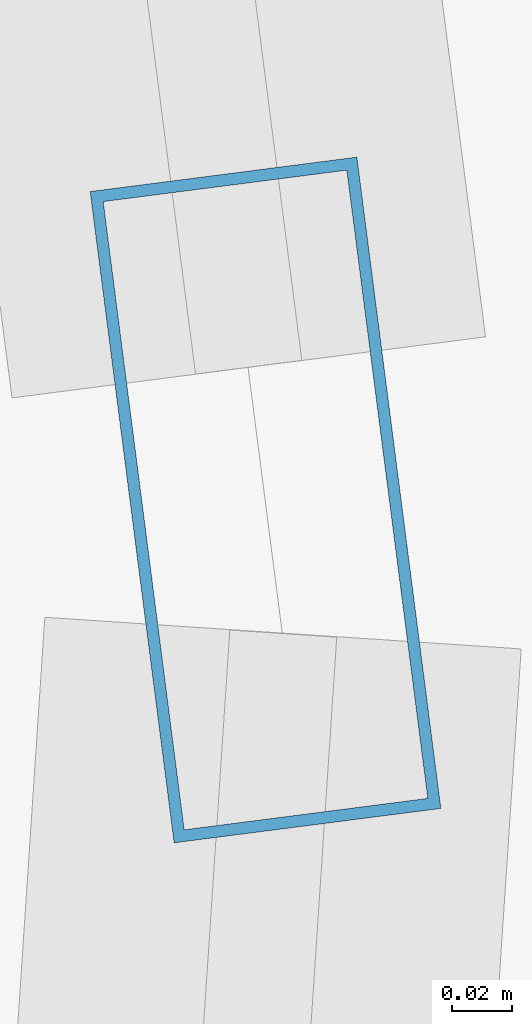
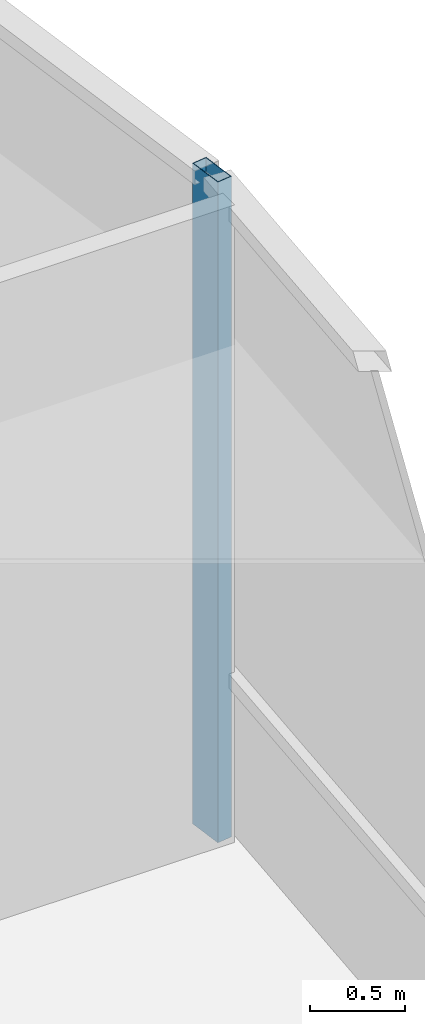
# One storey, part 8 of 39: 1 member, 1 element without a shape of its own.
"""IFC4 building model written with IfcOpenShell, lengths in metres."""

from ifc_helpers import new_model, si_unit, direction, frame, origin, origin_2d, place, context, subcontext, project, spatial, hollow_rectangle, extrude, material, material_profile, profile_set, type_object, element, aggregate, save


model = new_model("IFC4")

# Units and contexts
model_context = context("Model", 3, precision=1e-05, world=origin(), true_north=direction((0.0, 1.0)))
body_context = subcontext(model_context, "Body", "Model", "MODEL_VIEW")
ifc_project = project(units=[si_unit("LENGTHUNIT", "METRE"), si_unit("AREAUNIT", "SQUARE_METRE"), si_unit("VOLUMEUNIT", "CUBIC_METRE"), si_unit("PLANEANGLEUNIT", "RADIAN"), si_unit("MASSUNIT", "GRAM", prefix="KILO")], contexts=[model_context])

# Site, building, storey
site_placement = place(None, origin())
site = spatial("IfcSite", under=ifc_project, at=site_placement, CompositionType="ELEMENT")
building_placement = place(site_placement, origin())
building = spatial("IfcBuilding", under=site, at=building_placement, Name="Rekha Terrace Tower", CompositionType="ELEMENT")
storey_placement = place(building_placement, frame((0.0, 0.0, 245.60009765625)))
storey = spatial("IfcBuildingStorey", under=building, at=storey_placement, Name="L62", CompositionType="ELEMENT", Elevation=245.60009765625)

# Curtain wall, member
ifc_material_1 = material(Name="Aluminium framing", Category="aluminium")
curtain_wall_type = type_object("IfcCurtainWallType", Name="CW5 sky garden glazing", PredefinedType="USERDEFINED", material=ifc_material_1)
curtain_wall_placement = place(storey_placement, origin())
curtain_wall = element("IfcCurtainWall", 1, at=curtain_wall_placement, inside=storey, type_object=curtain_wall_type, Name="CW5 sky garden curtain wall", ObjectType="SKY GARDEN CURTAIN WALL", PredefinedType="USERDEFINED")
ifc_material_2 = material(Name="Aluminium mullion section", Category="aluminium")
ifc_material_profile = material_profile(ifc_material_2, hollow_rectangle(XDim=0.090087890625, YDim=0.219970703125, WallThickness=0.00390625, at=origin_2d()), Name="AL RHS 90x220")
ifc_profile_set = profile_set([ifc_material_profile], Name="Aluminium mullion section")
member_type = type_object("IfcMemberType", Name="CW5 mullion RHS 90 x 220", PredefinedType="MULLION", material=ifc_profile_set)
member_placement = place(storey_placement, frame((61.643310546875, 39.478515625, 0.0), z_axis=(0.0, 0.0, 1.0), x_axis=(-0.991790949463, -0.127869904835, 0.0)))
member = element("IfcMember", 2, at=member_placement, type_object=member_type, Name="CW5 mullion 1", PredefinedType="MULLION", context=body_context, shape_type="SweptSolid", body=[
    extrude(hollow_rectangle(XDim=0.090087890625, YDim=0.219970703125, WallThickness=0.00390625, at=origin_2d()), origin(), (0.0, 0.0, 1.0), 4.25),
])
aggregate(curtain_wall, [member])

save(model, "model.ifc")
